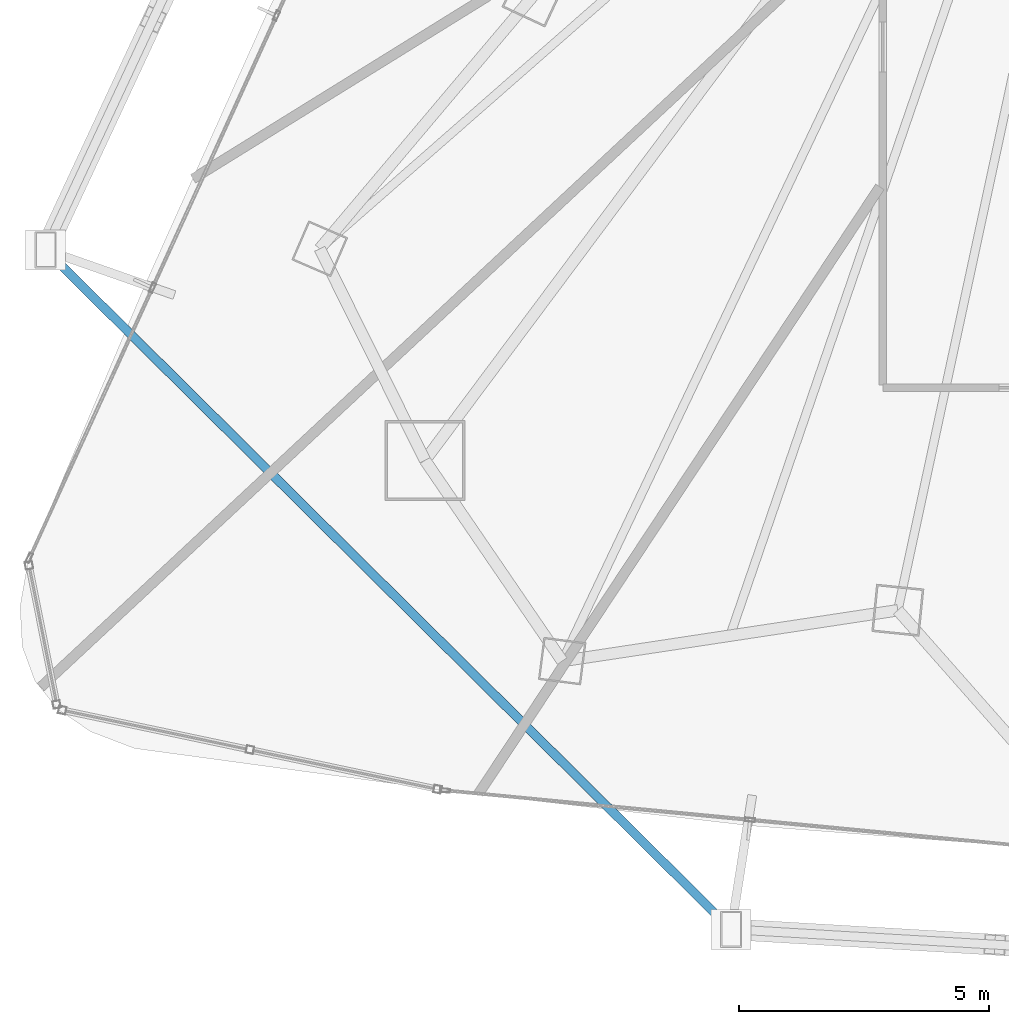
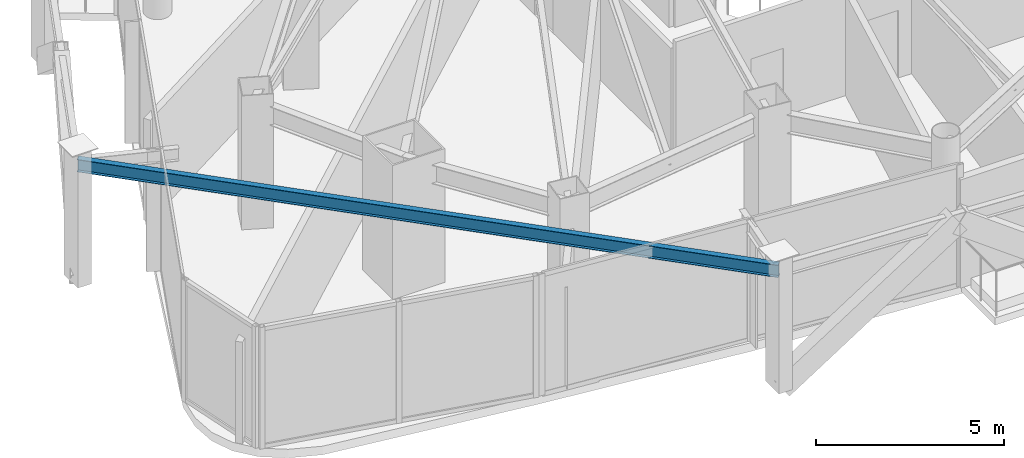
# One storey, part 3 of 33: 1 beam.
"""IFC4 building model written with IfcOpenShell, lengths in metres."""

from ifc_helpers import new_model, si_unit, direction, frame, origin, origin_2d, place, context, subcontext, project, spatial, i_section, extrude, material, material_profile, profile_set, type_object, element, save


model = new_model("IFC4")

# Units and contexts
model_context = context("Model", 3, precision=1e-05, world=origin(), true_north=direction((0.0, 1.0)))
body_context = subcontext(model_context, "Body", "Model", "MODEL_VIEW")
ifc_project = project(units=[si_unit("LENGTHUNIT", "METRE"), si_unit("AREAUNIT", "SQUARE_METRE"), si_unit("VOLUMEUNIT", "CUBIC_METRE"), si_unit("PLANEANGLEUNIT", "RADIAN"), si_unit("MASSUNIT", "GRAM", prefix="KILO")], contexts=[model_context])

# Site, building, storey
site_placement = place(None, origin())
site = spatial("IfcSite", under=ifc_project, at=site_placement, CompositionType="ELEMENT")
building_placement = place(site_placement, origin())
building = spatial("IfcBuilding", under=site, at=building_placement, Name="Orvanel Arch Residences", CompositionType="ELEMENT")
storey_placement = place(building_placement, frame((0.0, 0.0, 97.25)))
storey = spatial("IfcBuildingStorey", under=building, at=storey_placement, Name="L27", CompositionType="ELEMENT", Elevation=97.25)

# Beam
ifc_material = material(Name="Structural steel AS/NZS 3679.1 Grade 300 (300 MPa)", Category="steel")
ifc_material_profile = material_profile(ifc_material, i_section(OverallWidth=0.177978515625, OverallDepth=0.406005859375, WebThickness=0.0078125, FlangeThickness=0.0126953125, at=origin_2d()), Name="410UB59.7")
ifc_profile_set = profile_set([ifc_material_profile], Name="Structural steel AS/NZS 3679.1 Grade 300 (300 MPa)")
beam_type = type_object("IfcBeamType", Name="OB-410UB-EXT", PredefinedType="SPANDREL", material=ifc_profile_set)
beam_placement = place(storey_placement, frame((6.615966796875, 14.556884765625, 3.7470703125), z_axis=(0.71026379877, -0.703935605121, 0.0), x_axis=(0.703935605121, 0.71026379877, 0.0)))
element("IfcBeam", 1, at=beam_placement, inside=storey, type_object=beam_type, Name="L27 Outer Perimeter Floor Ring Beam 04", PredefinedType="SPANDREL", context=body_context, shape_type="SweptSolid", body=[
    extrude(i_section(OverallWidth=0.177978515625, OverallDepth=0.406005859375, WebThickness=0.0078125, FlangeThickness=0.0126953125, at=origin_2d()), origin(), (0.0, 0.0, 1.0), 19.289794921875),
])

save(model, "model.ifc")
